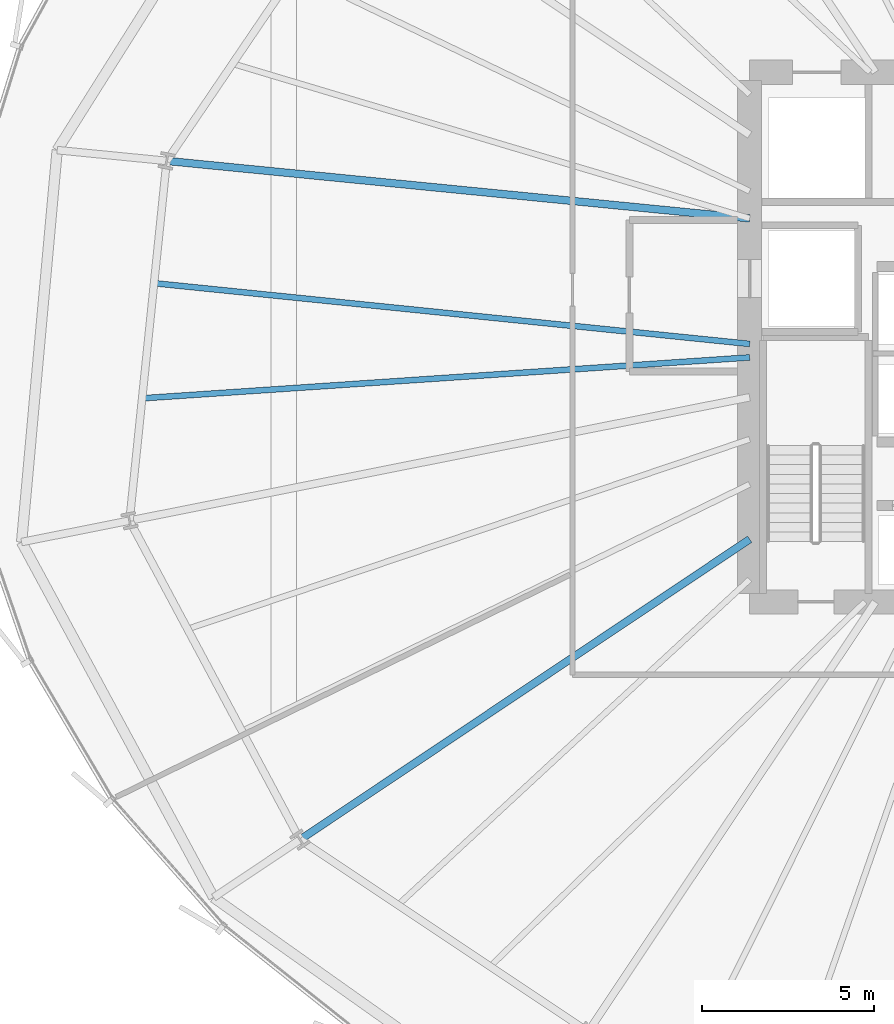
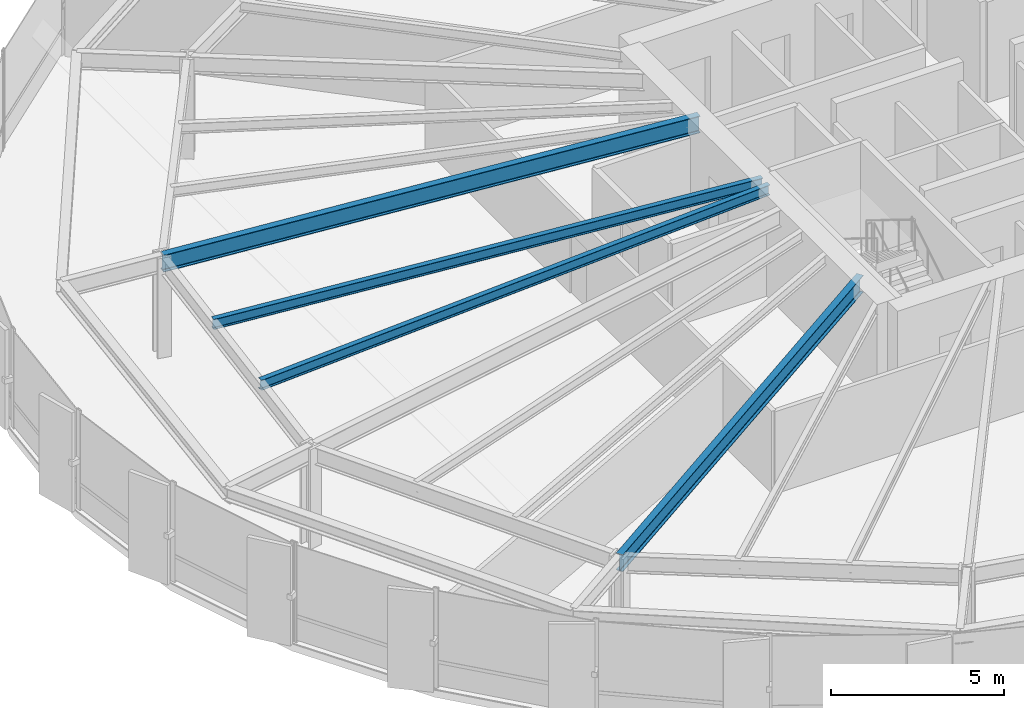
# One storey, part 9 of 39: 4 beams.
"""IFC4 building model written with IfcOpenShell, lengths in metres."""

from ifc_helpers import new_model, si_unit, direction, frame, origin, origin_2d, place, context, subcontext, project, spatial, i_section, extrude, source, transform, mapped, material, material_profile, profile_set, type_object, element, save


model = new_model("IFC4")

# Units and contexts
model_context = context("Model", 3, precision=1e-05, world=origin(), true_north=direction((0.0, 1.0)))
body_context = subcontext(model_context, "Body", "Model", "MODEL_VIEW")
ifc_project = project(units=[si_unit("LENGTHUNIT", "METRE"), si_unit("AREAUNIT", "SQUARE_METRE"), si_unit("VOLUMEUNIT", "CUBIC_METRE"), si_unit("PLANEANGLEUNIT", "RADIAN"), si_unit("MASSUNIT", "GRAM", prefix="KILO"), si_unit("THERMODYNAMICTEMPERATUREUNIT", "KELVIN")], contexts=[model_context])

# Site, building, storey
site_placement = place(None, origin())
site = spatial("IfcSite", under=ifc_project, at=site_placement, CompositionType="ELEMENT")
building_placement = place(site_placement, origin())
building = spatial("IfcBuilding", under=site, at=building_placement, Name="Kethvar Cultural Tower", CompositionType="ELEMENT")
storey_placement = place(building_placement, frame((0.0, 0.0, 33.39990234375)))
storey = spatial("IfcBuildingStorey", under=building, at=storey_placement, Name="L07", CompositionType="ELEMENT", Elevation=33.39990234375)

# Beams
ifc_material = material(Name="Steel S355J2", Category="steel")
ifc_material_profile_1 = material_profile(ifc_material, i_section(OverallWidth=0.219970703125, OverallDepth=0.60009765625, WebThickness=0.011962890625, FlangeThickness=0.01904296875, FilletRadius=0.02392578125, at=origin_2d()), Name="Steel S355J2 — IPE600")
ifc_profile_set_1 = profile_set([ifc_material_profile_1], Name="Steel S355J2 — IPE600")
beam_type_1 = type_object("IfcBeamType", Name="BM-IPE600", PredefinedType="BEAM", material=ifc_profile_set_1)
shared_shape_1 = source(origin(), body_context, "Body", "SweptSolid", [
    extrude(i_section(OverallWidth=0.219970703125, OverallDepth=0.60009765625, WebThickness=0.011962890625, FlangeThickness=0.01904296875, FilletRadius=0.02392578125, at=origin_2d()), origin(), (0.0, 0.0, 1.0), 17.03515625),
])
beam_1_placement = place(storey_placement, frame((38.0, 31.25, 3.248046875), z_axis=(-0.995168138859, 0.098185413375, 0.0), x_axis=(-0.098185413375, -0.995168138859, 0.0)))
element("IfcBeam", 1, at=beam_1_placement, inside=storey, type_object=beam_type_1, Name="L07 Primary Radial Beam RB-08", PredefinedType="BEAM", context=body_context, shape_type="MappedRepresentation", body=[
    mapped(shared_shape_1, transform((0.0, 0.0, 0.0), scale=1.0)),
])
shared_shape_2 = source(origin(), body_context, "Body", "SweptSolid", [
    extrude(i_section(OverallWidth=0.219970703125, OverallDepth=0.60009765625, WebThickness=0.011962890625, FlangeThickness=0.01904296875, FilletRadius=0.02392578125, at=origin_2d()), origin(), (0.0, 0.0, 1.0), 15.725341796875),
])
beam_2_placement = place(storey_placement, frame((38.0, 21.919921875, 3.248046875), z_axis=(-0.831469433959, -0.555570499929, 0.0), x_axis=(0.555570499929, -0.831469433959, 0.0)))
element("IfcBeam", 2, at=beam_2_placement, inside=storey, type_object=beam_type_1, Name="L07 Primary Radial Beam RB-10", PredefinedType="BEAM", context=body_context, shape_type="MappedRepresentation", body=[
    mapped(shared_shape_2, transform((0.0, 0.0, 0.0), scale=1.0)),
])
ifc_material_profile_2 = material_profile(ifc_material, i_section(OverallWidth=0.169921875, OverallDepth=0.360107421875, WebThickness=0.008056640625, FlangeThickness=0.0126953125, FilletRadius=0.01806640625, at=origin_2d()), Name="Steel S355J2 — IPE360")
ifc_profile_set_2 = profile_set([ifc_material_profile_2], Name="Steel S355J2 — IPE360")
beam_type_2 = type_object("IfcBeamType", Name="BM-J360", PredefinedType="JOIST", material=ifc_profile_set_2)
shared_shape_3 = source(origin(), body_context, "Body", "SweptSolid", [
    extrude(i_section(OverallWidth=0.169921875, OverallDepth=0.360107421875, WebThickness=0.008056640625, FlangeThickness=0.0126953125, FilletRadius=0.01806640625, at=origin_2d()), origin(), (0.0, 0.0, 1.0), 17.410400390625),
])
beam_3_placement = place(storey_placement, frame((38.0, 27.60009765625, 3.3681640625), z_axis=(-0.99484162516, 0.101440331474, 0.0), x_axis=(-0.101440331474, -0.99484162516, 0.0)))
element("IfcBeam", 3, at=beam_3_placement, inside=storey, type_object=beam_type_2, Name="L07 Composite Floor Joist J-08A", PredefinedType="JOIST", context=body_context, shape_type="MappedRepresentation", body=[
    mapped(shared_shape_3, transform((0.0, 0.0, 0.0), scale=1.0)),
])
shared_shape_4 = source(origin(), body_context, "Body", "SweptSolid", [
    extrude(i_section(OverallWidth=0.169921875, OverallDepth=0.360107421875, WebThickness=0.008056640625, FlangeThickness=0.0126953125, FilletRadius=0.01806640625, at=origin_2d()), origin(), (0.0, 0.0, 1.0), 17.70654296875),
])
beam_4_placement = place(storey_placement, frame((38.0, 27.207763671875, 3.3681640625), z_axis=(-0.997742984455, -0.067148618533, 0.0), x_axis=(0.067148618533, -0.997742984455, 0.0)))
element("IfcBeam", 4, at=beam_4_placement, inside=storey, type_object=beam_type_2, Name="L07 Composite Floor Joist J-08B", PredefinedType="JOIST", context=body_context, shape_type="MappedRepresentation", body=[
    mapped(shared_shape_4, transform((0.0, 0.0, 0.0), scale=1.0)),
])

save(model, "model.ifc")
